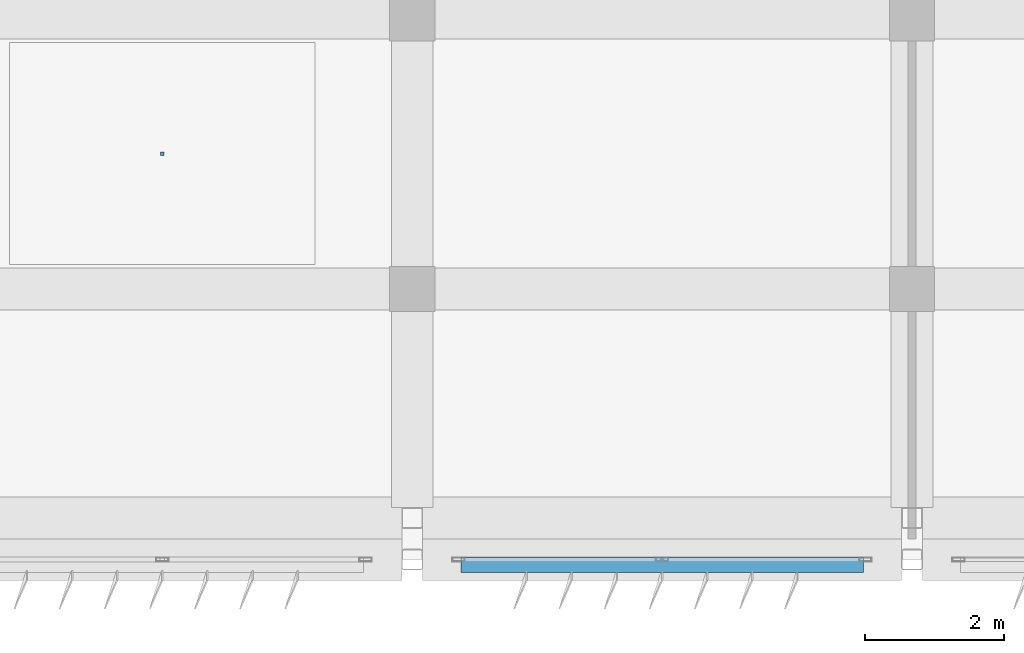
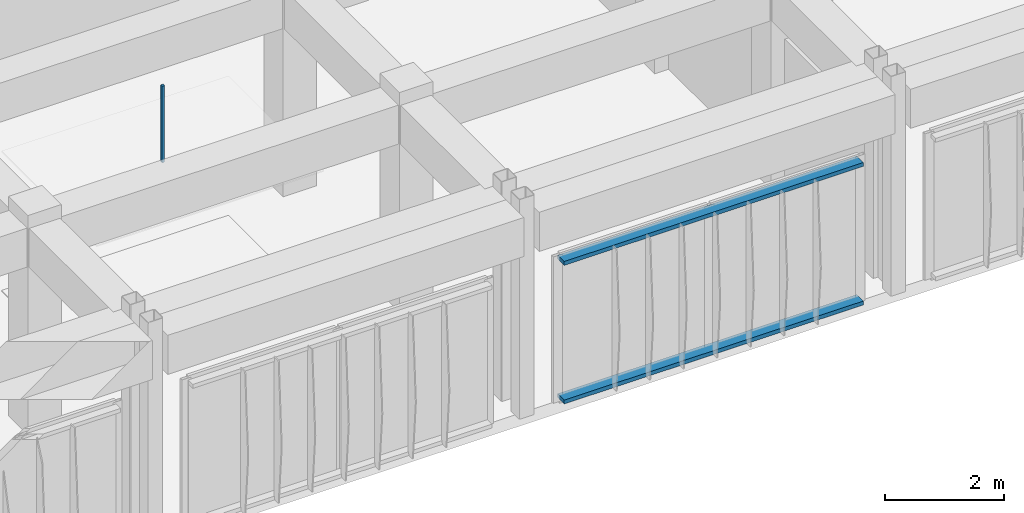
# One storey, part 41 of 56: 3 discrete accessories.
"""IFC4 building model written with IfcOpenShell, lengths in metres."""

from ifc_helpers import new_model, si_unit, direction, frame, origin, origin_2d, place, context, subcontext, project, spatial, rectangle, extrude, material, type_object, element, save


model = new_model("IFC4")

# Units and contexts
model_context = context("Model", 3, precision=1e-05, world=origin(), true_north=direction((0.0, 1.0)))
body_context = subcontext(model_context, "Body", "Model", "MODEL_VIEW")
ifc_project = project(units=[si_unit("LENGTHUNIT", "METRE"), si_unit("AREAUNIT", "SQUARE_METRE"), si_unit("VOLUMEUNIT", "CUBIC_METRE"), si_unit("PLANEANGLEUNIT", "RADIAN"), si_unit("MASSUNIT", "GRAM", prefix="KILO")], contexts=[model_context])

# Site, building, storey
site_placement = place(None, origin())
site = spatial("IfcSite", under=ifc_project, at=site_placement, CompositionType="ELEMENT")
building_placement = place(site_placement, origin())
building = spatial("IfcBuilding", under=site, at=building_placement, Name="Kazehaya Institute of Natural Sciences", CompositionType="ELEMENT")
storey_placement = place(building_placement, frame((0.0, 0.0, 28.800048828125)))
storey = spatial("IfcBuildingStorey", under=building, at=storey_placement, Name="L06", CompositionType="ELEMENT", Elevation=28.800048828125)

# Discrete accessories
ifc_material_1 = material(Name="Aluminium alloy A6063S-T5", Category="aluminium")
discrete_accessory_type_1 = type_object("IfcDiscreteAccessoryType", Name="ACC-BRK-01", PredefinedType="BRACKET", material=ifc_material_1)
for number, where, z_axis, x_axis, name in (
    (1, (94.199951171875, 6.125, 0.039794921875), (0.0, 0.0, 1.0), (-1.0, 0.0, 0.0), "L06 fin support outrigger rail 1"),
    (2, (94.199951171875, 6.125, 2.8798828125), (0.0, 0.0, 1.0), (-1.0, 0.0, 0.0), "L06 fin support outrigger rail 2"),
):
    element("IfcDiscreteAccessory", number, at=place(storey_placement, frame(where, z_axis=z_axis, x_axis=x_axis)), inside=storey, type_object=discrete_accessory_type_1, Name=name, PredefinedType="BRACKET", context=body_context, shape_type="SweptSolid", body=[
        extrude(rectangle(XDim=5.800048828125, YDim=0.219970703125, at=origin_2d()), origin(), (0.0, 0.0, 1.0), 0.080078125),
    ])
ifc_material_2 = material(Name="Structural steel SN490B", Category="steel")
discrete_accessory_type_2 = type_object("IfcDiscreteAccessoryType", Name="ACC-CLG-HGR", PredefinedType="BRACKET", material=ifc_material_2)
discrete_accessory_placement = place(storey_placement, frame((87.0, 12.050048828125, 2.8525390625), z_axis=(0.0, 0.0, 1.0), x_axis=(1.0, 0.0, 0.0)))
element("IfcDiscreteAccessory", 3, at=discrete_accessory_placement, inside=storey, type_object=discrete_accessory_type_2, Name="L06 ceiling suspension hanger 57", PredefinedType="BRACKET", context=body_context, shape_type="SweptSolid", body=[
    extrude(rectangle(XDim=0.050048828125, YDim=0.050048828125, at=origin_2d()), origin(), (0.0, 0.0, 1.0), 1.5673828125),
])

save(model, "model.ifc")
